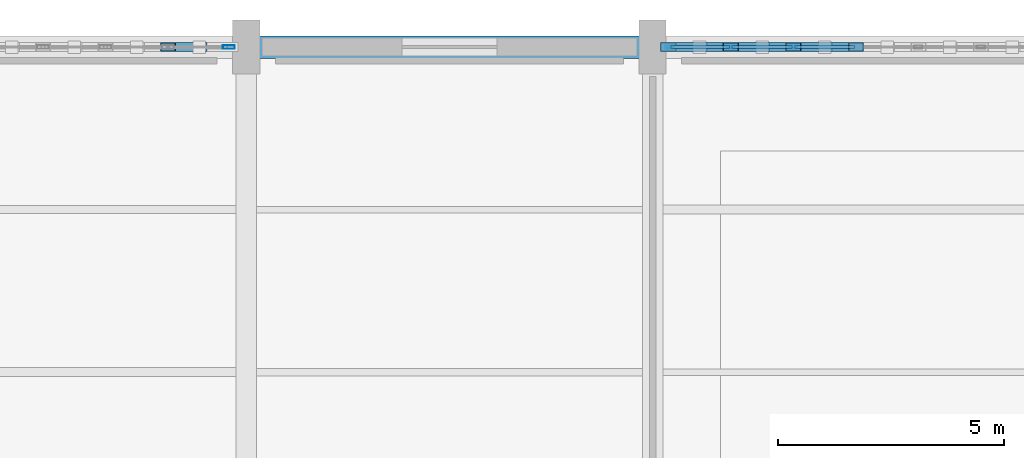
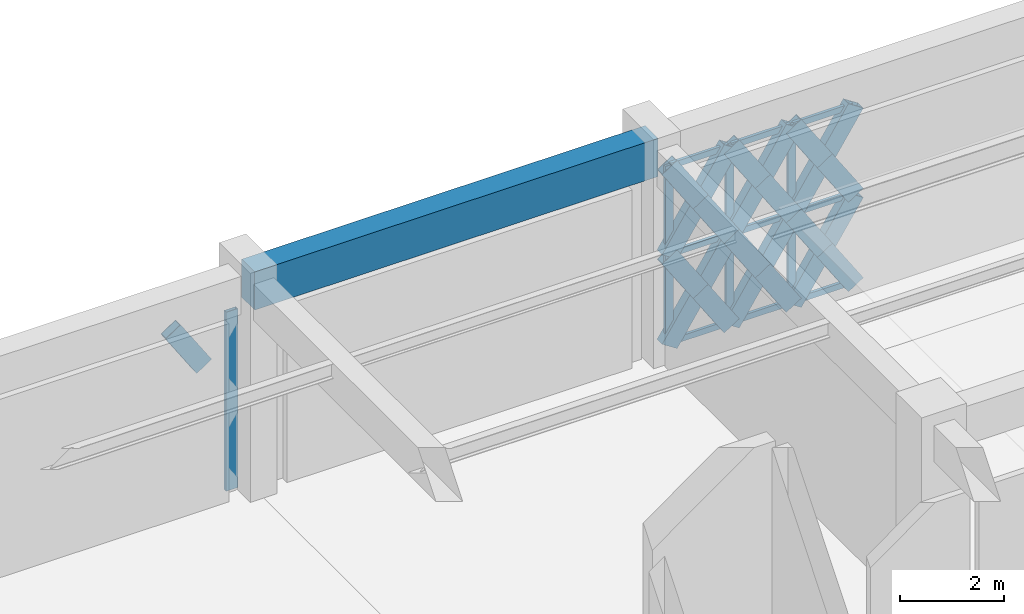
# One storey, part 71 of 140: 32 members, 1 beam, 2 elements without a shape of their own.
"""IFC4 building model written with IfcOpenShell, lengths in metres."""

from ifc_helpers import new_model, si_unit, direction, frame, origin, origin_2d, place, context, subcontext, project, spatial, rectangle, hollow_rectangle, extrude, material, material_profile, profile_set, type_object, element, aggregate, save


model = new_model("IFC4")

# Units and contexts
model_context = context("Model", 3, precision=1e-05, world=origin(), true_north=direction((0.0, 1.0)))
body_context = subcontext(model_context, "Body", "Model", "MODEL_VIEW")
ifc_project = project(units=[si_unit("LENGTHUNIT", "METRE"), si_unit("AREAUNIT", "SQUARE_METRE"), si_unit("VOLUMEUNIT", "CUBIC_METRE"), si_unit("PLANEANGLEUNIT", "RADIAN"), si_unit("MASSUNIT", "GRAM", prefix="KILO")], contexts=[model_context])

# Site, building, storey
site_placement = place(None, origin())
site = spatial("IfcSite", under=ifc_project, at=site_placement, CompositionType="ELEMENT")
building_placement = place(site_placement, origin())
building = spatial("IfcBuilding", under=site, at=building_placement, Name="Haizhuo Lancet Aquarium", CompositionType="ELEMENT")
storey_placement = place(building_placement, origin())
storey = spatial("IfcBuildingStorey", under=building, at=storey_placement, Name="L00", CompositionType="ELEMENT", Elevation=0.0)

# Beam
ifc_material_1 = material(Name="Concrete C40/50", Category="concrete")
ifc_material_profile_1 = material_profile(ifc_material_1, rectangle(XDim=0.5, YDim=0.89990234375, at=origin_2d()), Name="RC-BM 500x900")
ifc_profile_set_1 = profile_set([ifc_material_profile_1], Name="Concrete C40/50")
beam_type = type_object("IfcBeamType", Name="BM-RC-500x900", PredefinedType="BEAM", material=ifc_profile_set_1)
beam_placement = place(storey_placement, frame((-9.0, 55.800048828125, 4.669921875), z_axis=(1.0, 0.0, 0.0), x_axis=(0.0, 1.0, 0.0)))
element("IfcBeam", 1, at=beam_placement, inside=storey, type_object=beam_type, Name="L00 V5 primary girder BM-L00-V5-015", PredefinedType="BEAM", context=body_context, shape_type="SweptSolid", body=[
    extrude(rectangle(XDim=0.5, YDim=0.89990234375, at=origin_2d()), origin(), (0.0, 0.0, 1.0), 9.0),
])

# Curtain wall, members
ifc_material_2 = material(Name="Aluminium 6063-T6", Category="aluminium")
curtain_wall_type = type_object("IfcCurtainWallType", Name="CWD-8310x4220", PredefinedType="NOTDEFINED", material=ifc_material_2)
curtain_wall_1_placement = place(storey_placement, origin())
curtain_wall_1 = element("IfcCurtainWall", 2, at=curtain_wall_1_placement, inside=storey, type_object=curtain_wall_type, Name="L00 curtain wall CW-V5-L00-118", PredefinedType="NOTDEFINED")
ifc_material_profile_2 = material_profile(ifc_material_2, hollow_rectangle(XDim=0.06494140625, YDim=0.179931640625, WallThickness=0.00390625, at=origin_2d()), Name="ALU-M 65x180x4")
ifc_profile_set_2 = profile_set([ifc_material_profile_2], Name="Aluminium 6063-T6")
member_type_1 = type_object("IfcMemberType", Name="CW-MUL-1", PredefinedType="MULLION", material=ifc_profile_set_2)
member_1_placement = place(storey_placement, frame((0.376953125, 55.800048828125, 0.0), z_axis=(0.0, 0.0, 1.0), x_axis=(0.0, 1.0, 0.0)))
member_1 = element("IfcMember", 3, at=member_1_placement, type_object=member_type_1, Name="CWD-83x42 mullion 1", PredefinedType="MULLION", context=body_context, shape_type="SweptSolid", body=[
    extrude(hollow_rectangle(XDim=0.06494140625, YDim=0.179931640625, WallThickness=0.00390625, at=origin_2d()), origin(), (0.0, 0.0, 1.0), 4.219970703125),
])
member_2_placement = place(storey_placement, frame((1.72998046875, 55.800048828125, 0.0), z_axis=(0.0, 0.0, 1.0), x_axis=(0.0, 1.0, 0.0)))
member_2 = element("IfcMember", 4, at=member_2_placement, type_object=member_type_1, Name="CWD-83x42 mullion 2", PredefinedType="MULLION", context=body_context, shape_type="SweptSolid", body=[
    extrude(hollow_rectangle(XDim=0.06494140625, YDim=0.179931640625, WallThickness=0.00390625, at=origin_2d()), origin(), (0.0, 0.0, 1.0), 4.219970703125),
])
member_3_placement = place(storey_placement, frame((3.114990234375, 55.800048828125, 0.0), z_axis=(0.0, 0.0, 1.0), x_axis=(0.0, 1.0, 0.0)))
member_3 = element("IfcMember", 5, at=member_3_placement, type_object=member_type_1, Name="CWD-83x42 mullion 3", PredefinedType="MULLION", context=body_context, shape_type="SweptSolid", body=[
    extrude(hollow_rectangle(XDim=0.06494140625, YDim=0.179931640625, WallThickness=0.00390625, at=origin_2d()), origin(), (0.0, 0.0, 1.0), 4.219970703125),
])

# Curtain wall, member
curtain_wall_2_placement = place(storey_placement, origin())
curtain_wall_2 = element("IfcCurtainWall", 6, at=curtain_wall_2_placement, inside=storey, type_object=curtain_wall_type, Name="L00 curtain wall CW-V5-L00-117", PredefinedType="NOTDEFINED")
ifc_material_profile_3 = material_profile(ifc_material_2, hollow_rectangle(XDim=0.080078125, YDim=0.260009765625, WallThickness=0.0048828125, at=origin_2d()), Name="ALU-M 80x260x5")
ifc_profile_set_3 = profile_set([ifc_material_profile_3], Name="Aluminium 6063-T6")
member_type_2 = type_object("IfcMemberType", Name="CW-MUL-3", PredefinedType="MULLION", material=ifc_profile_set_3)
member_4_placement = place(storey_placement, frame((-9.385009765625, 55.800048828125, 0.0), z_axis=(0.0, 0.0, 1.0), x_axis=(0.0, 1.0, 0.0)))
member_4 = element("IfcMember", 7, at=member_4_placement, type_object=member_type_2, Name="CWD-83x42 mullion 7", PredefinedType="MULLION", context=body_context, shape_type="SweptSolid", body=[
    extrude(hollow_rectangle(XDim=0.080078125, YDim=0.260009765625, WallThickness=0.0048828125, at=origin_2d()), origin(), (0.0, 0.0, 1.0), 4.219970703125),
])
aggregate(curtain_wall_2, [member_4])

# Member
ifc_material_profile_4 = material_profile(ifc_material_2, hollow_rectangle(XDim=0.06494140625, YDim=0.139892578125, WallThickness=0.00390625, at=origin_2d()), Name="ALU-T 65x140x4")
ifc_profile_set_4 = profile_set([ifc_material_profile_4], Name="Aluminium 6063-T6")
member_type_3 = type_object("IfcMemberType", Name="CW-TRN-1", PredefinedType="NOTDEFINED", material=ifc_profile_set_4)
member_5_placement = place(storey_placement, frame((0.409912109375, 55.800048828125, 0.032958984375), z_axis=(1.0, 0.0, 0.0), x_axis=(0.0, 1.0, 0.0)))
member_5 = element("IfcMember", 8, at=member_5_placement, type_object=member_type_3, Name="CWD-83x42 transom 1.1", ObjectType="TRANSOM", PredefinedType="USERDEFINED", context=body_context, shape_type="SweptSolid", body=[
    extrude(hollow_rectangle(XDim=0.06494140625, YDim=0.139892578125, WallThickness=0.00390625, at=origin_2d()), origin(), (0.0, 0.0, 1.0), 1.287109375),
])

member_6_placement = place(storey_placement, frame((0.409912109375, 55.800048828125, 2.110107421875), z_axis=(1.0, 0.0, 0.0), x_axis=(0.0, 1.0, 0.0)))
member_6 = element("IfcMember", 9, at=member_6_placement, type_object=member_type_3, Name="CWD-83x42 transom 1.2", ObjectType="TRANSOM", PredefinedType="USERDEFINED", context=body_context, shape_type="SweptSolid", body=[
    extrude(hollow_rectangle(XDim=0.06494140625, YDim=0.139892578125, WallThickness=0.00390625, at=origin_2d()), origin(), (0.0, 0.0, 1.0), 1.287109375),
])

member_7_placement = place(storey_placement, frame((0.409912109375, 55.800048828125, 4.18798828125), z_axis=(1.0, 0.0, 0.0), x_axis=(0.0, 1.0, 0.0)))
member_7 = element("IfcMember", 10, at=member_7_placement, type_object=member_type_3, Name="CWD-83x42 transom 1.3", ObjectType="TRANSOM", PredefinedType="USERDEFINED", context=body_context, shape_type="SweptSolid", body=[
    extrude(hollow_rectangle(XDim=0.06494140625, YDim=0.139892578125, WallThickness=0.00390625, at=origin_2d()), origin(), (0.0, 0.0, 1.0), 1.287109375),
])

member_8_placement = place(storey_placement, frame((1.761962890625, 55.800048828125, 0.032958984375), z_axis=(1.0, 0.0, 0.0), x_axis=(0.0, 1.0, 0.0)))
member_8 = element("IfcMember", 11, at=member_8_placement, type_object=member_type_3, Name="CWD-83x42 transom 2.1", ObjectType="TRANSOM", PredefinedType="USERDEFINED", context=body_context, shape_type="SweptSolid", body=[
    extrude(hollow_rectangle(XDim=0.06494140625, YDim=0.139892578125, WallThickness=0.00390625, at=origin_2d()), origin(), (0.0, 0.0, 1.0), 1.320068359375),
])

member_9_placement = place(storey_placement, frame((1.761962890625, 55.800048828125, 2.110107421875), z_axis=(1.0, 0.0, 0.0), x_axis=(0.0, 1.0, 0.0)))
member_9 = element("IfcMember", 12, at=member_9_placement, type_object=member_type_3, Name="CWD-83x42 transom 2.2", ObjectType="TRANSOM", PredefinedType="USERDEFINED", context=body_context, shape_type="SweptSolid", body=[
    extrude(hollow_rectangle(XDim=0.06494140625, YDim=0.139892578125, WallThickness=0.00390625, at=origin_2d()), origin(), (0.0, 0.0, 1.0), 1.320068359375),
])

member_10_placement = place(storey_placement, frame((1.761962890625, 55.800048828125, 4.18798828125), z_axis=(1.0, 0.0, 0.0), x_axis=(0.0, 1.0, 0.0)))
member_10 = element("IfcMember", 13, at=member_10_placement, type_object=member_type_3, Name="CWD-83x42 transom 2.3", ObjectType="TRANSOM", PredefinedType="USERDEFINED", context=body_context, shape_type="SweptSolid", body=[
    extrude(hollow_rectangle(XDim=0.06494140625, YDim=0.139892578125, WallThickness=0.00390625, at=origin_2d()), origin(), (0.0, 0.0, 1.0), 1.320068359375),
])

member_11_placement = place(storey_placement, frame((3.14697265625, 55.800048828125, 0.032958984375), z_axis=(1.0, 0.0, 0.0), x_axis=(0.0, 1.0, 0.0)))
member_11 = element("IfcMember", 14, at=member_11_placement, type_object=member_type_3, Name="CWD-83x42 transom 3.1", ObjectType="TRANSOM", PredefinedType="USERDEFINED", context=body_context, shape_type="SweptSolid", body=[
    extrude(hollow_rectangle(XDim=0.06494140625, YDim=0.139892578125, WallThickness=0.00390625, at=origin_2d()), origin(), (0.0, 0.0, 1.0), 1.320068359375),
])

member_12_placement = place(storey_placement, frame((3.14697265625, 55.800048828125, 2.110107421875), z_axis=(1.0, 0.0, 0.0), x_axis=(0.0, 1.0, 0.0)))
member_12 = element("IfcMember", 15, at=member_12_placement, type_object=member_type_3, Name="CWD-83x42 transom 3.2", ObjectType="TRANSOM", PredefinedType="USERDEFINED", context=body_context, shape_type="SweptSolid", body=[
    extrude(hollow_rectangle(XDim=0.06494140625, YDim=0.139892578125, WallThickness=0.00390625, at=origin_2d()), origin(), (0.0, 0.0, 1.0), 1.320068359375),
])

member_13_placement = place(storey_placement, frame((3.14697265625, 55.800048828125, 4.18798828125), z_axis=(1.0, 0.0, 0.0), x_axis=(0.0, 1.0, 0.0)))
member_13 = element("IfcMember", 16, at=member_13_placement, type_object=member_type_3, Name="CWD-83x42 transom 3.3", ObjectType="TRANSOM", PredefinedType="USERDEFINED", context=body_context, shape_type="SweptSolid", body=[
    extrude(hollow_rectangle(XDim=0.06494140625, YDim=0.139892578125, WallThickness=0.00390625, at=origin_2d()), origin(), (0.0, 0.0, 1.0), 1.320068359375),
])

aggregate(curtain_wall_1, [member_1, member_2, member_3, member_5, member_6, member_7, member_8, member_9, member_10, member_11, member_12, member_13])

# Members
ifc_material_3 = material(Name="Steel S355", Category="steel")
ifc_material_profile_5 = material_profile(ifc_material_3, hollow_rectangle(XDim=0.199951171875, YDim=0.39990234375, WallThickness=0.011962890625, at=origin_2d()), Name="RHS 200x400x12")
ifc_profile_set_5 = profile_set([ifc_material_profile_5], Name="Steel S355")
member_type_4 = type_object("IfcMemberType", Name="MEM-LB-RHS200x400", PredefinedType="BRACE", material=ifc_profile_set_5)
member_14_placement = place(storey_placement, frame((-10.0380859375, 55.800048828125, 3.1650390625), z_axis=(-0.548432389058, 0.0, 0.8361949023), x_axis=(0.0, -1.0, 0.0)))
element("IfcMember", 17, at=member_14_placement, inside=storey, type_object=member_type_4, Name="Gothic lancet split diagonal brace CW-V5-L00-117 12B2", PredefinedType="BRACE", context=body_context, shape_type="SweptSolid", body=[
    extrude(hollow_rectangle(XDim=0.199951171875, YDim=0.39990234375, WallThickness=0.011962890625, at=origin_2d()), origin(), (0.0, 0.0, 1.0), 1.261474609375),
])
member_15_placement = place(storey_placement, frame((0.344970703125, 55.800048828125, 0.0), z_axis=(0.548726161473, 0.0, 0.836002152937), x_axis=(0.0, 1.0, 0.0)))
element("IfcMember", 18, at=member_15_placement, inside=storey, type_object=member_type_4, Name="Gothic lancet continuous diagonal brace CW-V5-L00-118 1A", PredefinedType="BRACE", context=body_context, shape_type="SweptSolid", body=[
    extrude(hollow_rectangle(XDim=0.199951171875, YDim=0.39990234375, WallThickness=0.011962890625, at=origin_2d()), origin(), (0.0, 0.0, 1.0), 2.52392578125),
])
member_16_placement = place(storey_placement, frame((1.72998046875, 55.800048828125, 0.0), z_axis=(-0.548432389058, 0.0, 0.8361949023), x_axis=(0.0, -1.0, 0.0)))
element("IfcMember", 19, at=member_16_placement, inside=storey, type_object=member_type_4, Name="Gothic lancet split diagonal brace CW-V5-L00-118 1B1", PredefinedType="BRACE", context=body_context, shape_type="SweptSolid", body=[
    extrude(hollow_rectangle(XDim=0.199951171875, YDim=0.39990234375, WallThickness=0.011962890625, at=origin_2d()), origin(), (0.0, 0.0, 1.0), 1.261474609375),
])
member_17_placement = place(storey_placement, frame((1.0380859375, 55.800048828125, 1.054931640625), z_axis=(-0.549019662853, 0.0, 0.835809433903), x_axis=(0.0, -1.0, 0.0)))
element("IfcMember", 20, at=member_17_placement, inside=storey, type_object=member_type_4, Name="Gothic lancet split diagonal brace CW-V5-L00-118 1B2", PredefinedType="BRACE", context=body_context, shape_type="SweptSolid", body=[
    extrude(hollow_rectangle(XDim=0.199951171875, YDim=0.39990234375, WallThickness=0.011962890625, at=origin_2d()), origin(), (0.0, 0.0, 1.0), 1.262451171875),
])
member_18_placement = place(storey_placement, frame((0.344970703125, 55.800048828125, 2.110107421875), z_axis=(0.548770535976, 0.0, 0.83597302519), x_axis=(0.0, 1.0, 0.0)))
element("IfcMember", 21, at=member_18_placement, inside=storey, type_object=member_type_4, Name="Gothic lancet continuous diagonal brace CW-V5-L00-118 2A", PredefinedType="BRACE", context=body_context, shape_type="SweptSolid", body=[
    extrude(hollow_rectangle(XDim=0.199951171875, YDim=0.39990234375, WallThickness=0.011962890625, at=origin_2d()), origin(), (0.0, 0.0, 1.0), 2.52392578125),
])
member_19_placement = place(storey_placement, frame((1.72998046875, 55.800048828125, 2.110107421875), z_axis=(-0.548432389058, 0.0, 0.8361949023), x_axis=(0.0, -1.0, 0.0)))
element("IfcMember", 22, at=member_19_placement, inside=storey, type_object=member_type_4, Name="Gothic lancet split diagonal brace CW-V5-L00-118 2B1", PredefinedType="BRACE", context=body_context, shape_type="SweptSolid", body=[
    extrude(hollow_rectangle(XDim=0.199951171875, YDim=0.39990234375, WallThickness=0.011962890625, at=origin_2d()), origin(), (0.0, 0.0, 1.0), 1.261474609375),
])
member_20_placement = place(storey_placement, frame((1.0380859375, 55.800048828125, 3.1650390625), z_axis=(-0.549108413745, 0.0, 0.835751129197), x_axis=(0.0, -1.0, 0.0)))
element("IfcMember", 23, at=member_20_placement, inside=storey, type_object=member_type_4, Name="Gothic lancet split diagonal brace CW-V5-L00-118 2B2", PredefinedType="BRACE", context=body_context, shape_type="SweptSolid", body=[
    extrude(hollow_rectangle(XDim=0.199951171875, YDim=0.39990234375, WallThickness=0.011962890625, at=origin_2d()), origin(), (0.0, 0.0, 1.0), 1.26220703125),
])
member_21_placement = place(storey_placement, frame((1.72998046875, 55.800048828125, 0.0), z_axis=(0.548726161473, 0.0, 0.836002152937), x_axis=(0.0, 1.0, 0.0)))
element("IfcMember", 24, at=member_21_placement, inside=storey, type_object=member_type_4, Name="Gothic lancet continuous diagonal brace CW-V5-L00-118 3A", PredefinedType="BRACE", context=body_context, shape_type="SweptSolid", body=[
    extrude(hollow_rectangle(XDim=0.199951171875, YDim=0.39990234375, WallThickness=0.011962890625, at=origin_2d()), origin(), (0.0, 0.0, 1.0), 2.52392578125),
])
member_22_placement = place(storey_placement, frame((3.114990234375, 55.800048828125, 0.0), z_axis=(-0.548432389058, 0.0, 0.8361949023), x_axis=(0.0, -1.0, 0.0)))
element("IfcMember", 25, at=member_22_placement, inside=storey, type_object=member_type_4, Name="Gothic lancet split diagonal brace CW-V5-L00-118 3B1", PredefinedType="BRACE", context=body_context, shape_type="SweptSolid", body=[
    extrude(hollow_rectangle(XDim=0.199951171875, YDim=0.39990234375, WallThickness=0.011962890625, at=origin_2d()), origin(), (0.0, 0.0, 1.0), 1.261474609375),
])
member_23_placement = place(storey_placement, frame((2.423095703125, 55.800048828125, 1.054931640625), z_axis=(-0.549019662853, 0.0, 0.835809433903), x_axis=(0.0, -1.0, 0.0)))
element("IfcMember", 26, at=member_23_placement, inside=storey, type_object=member_type_4, Name="Gothic lancet split diagonal brace CW-V5-L00-118 3B2", PredefinedType="BRACE", context=body_context, shape_type="SweptSolid", body=[
    extrude(hollow_rectangle(XDim=0.199951171875, YDim=0.39990234375, WallThickness=0.011962890625, at=origin_2d()), origin(), (0.0, 0.0, 1.0), 1.262451171875),
])
member_24_placement = place(storey_placement, frame((1.72998046875, 55.800048828125, 2.110107421875), z_axis=(0.548770535976, 0.0, 0.83597302519), x_axis=(0.0, 1.0, 0.0)))
element("IfcMember", 27, at=member_24_placement, inside=storey, type_object=member_type_4, Name="Gothic lancet continuous diagonal brace CW-V5-L00-118 4A", PredefinedType="BRACE", context=body_context, shape_type="SweptSolid", body=[
    extrude(hollow_rectangle(XDim=0.199951171875, YDim=0.39990234375, WallThickness=0.011962890625, at=origin_2d()), origin(), (0.0, 0.0, 1.0), 2.52392578125),
])
member_25_placement = place(storey_placement, frame((3.114990234375, 55.800048828125, 2.110107421875), z_axis=(-0.548432389058, 0.0, 0.8361949023), x_axis=(0.0, -1.0, 0.0)))
element("IfcMember", 28, at=member_25_placement, inside=storey, type_object=member_type_4, Name="Gothic lancet split diagonal brace CW-V5-L00-118 4B1", PredefinedType="BRACE", context=body_context, shape_type="SweptSolid", body=[
    extrude(hollow_rectangle(XDim=0.199951171875, YDim=0.39990234375, WallThickness=0.011962890625, at=origin_2d()), origin(), (0.0, 0.0, 1.0), 1.261474609375),
])
member_26_placement = place(storey_placement, frame((2.423095703125, 55.800048828125, 3.1650390625), z_axis=(-0.549108413745, 0.0, 0.835751129197), x_axis=(0.0, -1.0, 0.0)))
element("IfcMember", 29, at=member_26_placement, inside=storey, type_object=member_type_4, Name="Gothic lancet split diagonal brace CW-V5-L00-118 4B2", PredefinedType="BRACE", context=body_context, shape_type="SweptSolid", body=[
    extrude(hollow_rectangle(XDim=0.199951171875, YDim=0.39990234375, WallThickness=0.011962890625, at=origin_2d()), origin(), (0.0, 0.0, 1.0), 1.26220703125),
])
member_27_placement = place(storey_placement, frame((3.114990234375, 55.800048828125, 0.0), z_axis=(0.548726161473, 0.0, 0.836002152937), x_axis=(0.0, 1.0, 0.0)))
element("IfcMember", 30, at=member_27_placement, inside=storey, type_object=member_type_4, Name="Gothic lancet continuous diagonal brace CW-V5-L00-118 5A", PredefinedType="BRACE", context=body_context, shape_type="SweptSolid", body=[
    extrude(hollow_rectangle(XDim=0.199951171875, YDim=0.39990234375, WallThickness=0.011962890625, at=origin_2d()), origin(), (0.0, 0.0, 1.0), 2.52392578125),
])
member_28_placement = place(storey_placement, frame((4.5, 55.800048828125, 0.0), z_axis=(-0.548432389058, 0.0, 0.8361949023), x_axis=(0.0, -1.0, 0.0)))
element("IfcMember", 31, at=member_28_placement, inside=storey, type_object=member_type_4, Name="Gothic lancet split diagonal brace CW-V5-L00-118 5B1", PredefinedType="BRACE", context=body_context, shape_type="SweptSolid", body=[
    extrude(hollow_rectangle(XDim=0.199951171875, YDim=0.39990234375, WallThickness=0.011962890625, at=origin_2d()), origin(), (0.0, 0.0, 1.0), 1.261474609375),
])
member_29_placement = place(storey_placement, frame((3.80810546875, 55.800048828125, 1.054931640625), z_axis=(-0.549019662853, 0.0, 0.835809433903), x_axis=(0.0, -1.0, 0.0)))
element("IfcMember", 32, at=member_29_placement, inside=storey, type_object=member_type_4, Name="Gothic lancet split diagonal brace CW-V5-L00-118 5B2", PredefinedType="BRACE", context=body_context, shape_type="SweptSolid", body=[
    extrude(hollow_rectangle(XDim=0.199951171875, YDim=0.39990234375, WallThickness=0.011962890625, at=origin_2d()), origin(), (0.0, 0.0, 1.0), 1.262451171875),
])
member_30_placement = place(storey_placement, frame((3.114990234375, 55.800048828125, 2.110107421875), z_axis=(0.548770535976, 0.0, 0.83597302519), x_axis=(0.0, 1.0, 0.0)))
element("IfcMember", 33, at=member_30_placement, inside=storey, type_object=member_type_4, Name="Gothic lancet continuous diagonal brace CW-V5-L00-118 6A", PredefinedType="BRACE", context=body_context, shape_type="SweptSolid", body=[
    extrude(hollow_rectangle(XDim=0.199951171875, YDim=0.39990234375, WallThickness=0.011962890625, at=origin_2d()), origin(), (0.0, 0.0, 1.0), 2.52392578125),
])
member_31_placement = place(storey_placement, frame((4.5, 55.800048828125, 2.110107421875), z_axis=(-0.548432389058, 0.0, 0.8361949023), x_axis=(0.0, -1.0, 0.0)))
element("IfcMember", 34, at=member_31_placement, inside=storey, type_object=member_type_4, Name="Gothic lancet split diagonal brace CW-V5-L00-118 6B1", PredefinedType="BRACE", context=body_context, shape_type="SweptSolid", body=[
    extrude(hollow_rectangle(XDim=0.199951171875, YDim=0.39990234375, WallThickness=0.011962890625, at=origin_2d()), origin(), (0.0, 0.0, 1.0), 1.261474609375),
])
member_32_placement = place(storey_placement, frame((3.80810546875, 55.800048828125, 3.1650390625), z_axis=(-0.549108413745, 0.0, 0.835751129197), x_axis=(0.0, -1.0, 0.0)))
element("IfcMember", 35, at=member_32_placement, inside=storey, type_object=member_type_4, Name="Gothic lancet split diagonal brace CW-V5-L00-118 6B2", PredefinedType="BRACE", context=body_context, shape_type="SweptSolid", body=[
    extrude(hollow_rectangle(XDim=0.199951171875, YDim=0.39990234375, WallThickness=0.011962890625, at=origin_2d()), origin(), (0.0, 0.0, 1.0), 1.26220703125),
])

save(model, "model.ifc")
